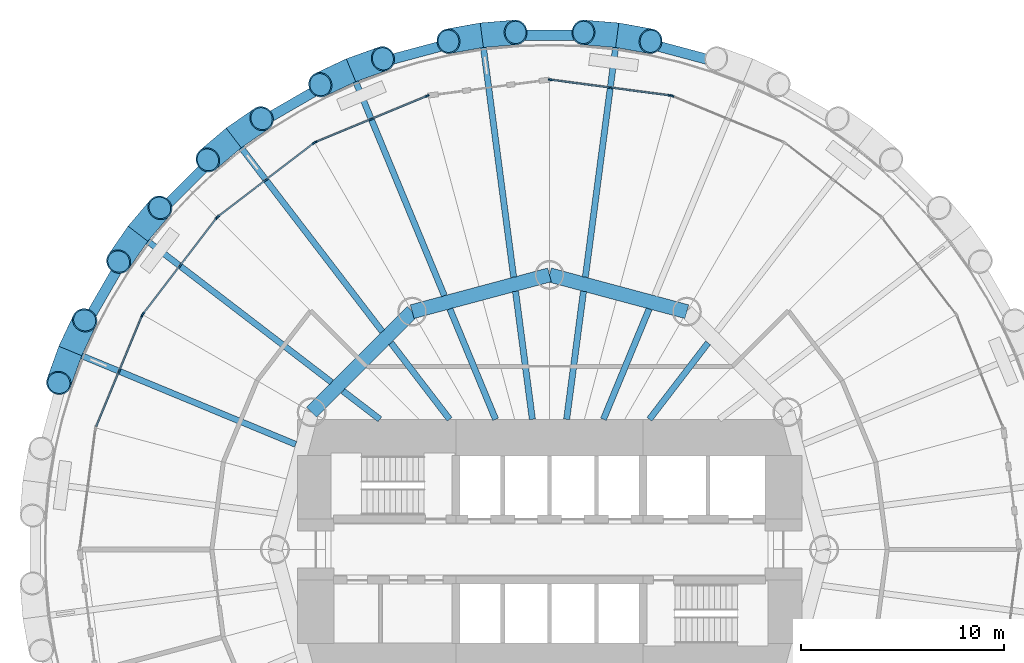
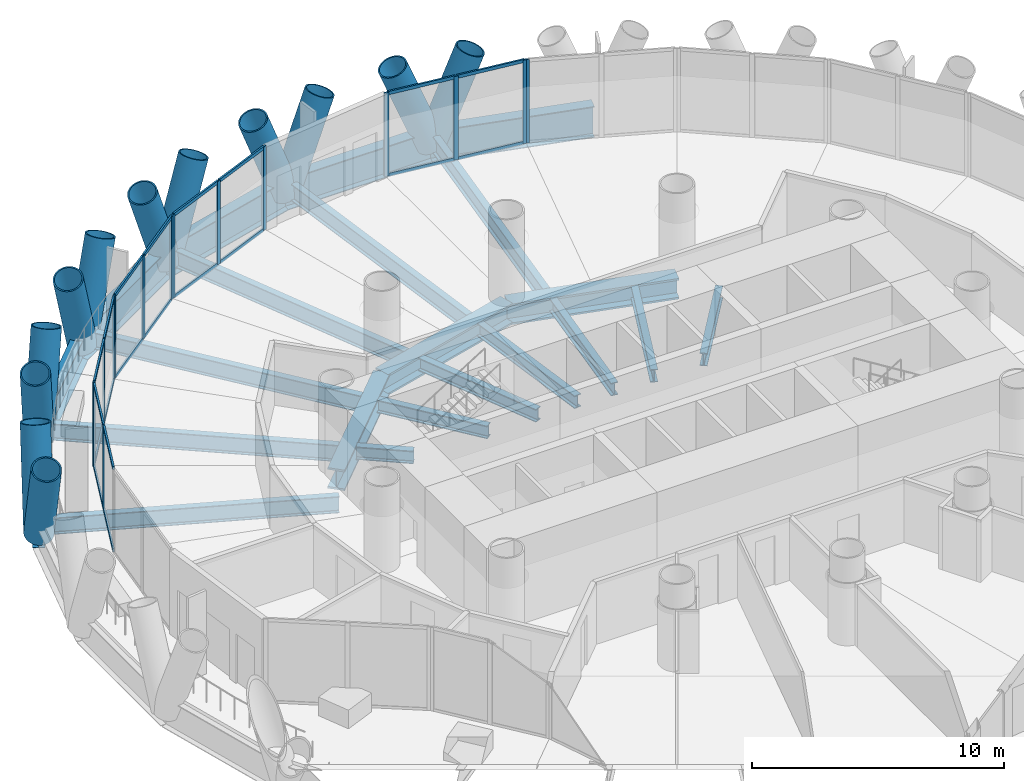
# One storey, part 5 of 14: 47 members, 22 beams, 6 elements without a shape of their own.
"""IFC4 building model written with IfcOpenShell, lengths in metres."""

from ifc_helpers import new_model, si_unit, direction, frame, origin, origin_2d, place, context, subcontext, project, spatial, rectangle, hollow_circle, i_section, extrude, material, material_profile, profile_set, type_object, element, aggregate, save


model = new_model("IFC4")

# Units and contexts
model_context = context("Model", 3, precision=1e-05, world=origin(), true_north=direction((0.0, 1.0)))
body_context = subcontext(model_context, "Body", "Model", "MODEL_VIEW")
ifc_project = project(units=[si_unit("LENGTHUNIT", "METRE"), si_unit("AREAUNIT", "SQUARE_METRE"), si_unit("VOLUMEUNIT", "CUBIC_METRE"), si_unit("PLANEANGLEUNIT", "RADIAN"), si_unit("MASSUNIT", "GRAM", prefix="KILO")], contexts=[model_context])

# Site, building, storey
site_placement = place(None, origin())
site = spatial("IfcSite", under=ifc_project, at=site_placement, CompositionType="ELEMENT")
building_placement = place(site_placement, origin())
building = spatial("IfcBuilding", under=site, at=building_placement, Name="Qaws Media Tower", CompositionType="ELEMENT")
storey_placement = place(building_placement, frame((0.0, 0.0, 84.800048828125)))
storey = spatial("IfcBuildingStorey", under=building, at=storey_placement, Name="L18", CompositionType="ELEMENT", Elevation=84.800048828125)

# Curtain wall, member
ifc_material_1 = material(Name="Aluminium and clear glass", Category="aluminium")
curtain_wall_type = type_object("IfcCurtainWallType", Name="Unitised curtain wall CW-A", PredefinedType="NOTDEFINED", material=ifc_material_1)
curtain_wall_1_placement = place(storey_placement, origin())
curtain_wall_1 = element("IfcCurtainWall", 1, at=curtain_wall_1_placement, inside=storey, type_object=curtain_wall_type, Name="CWA curtain wall L18-05", PredefinedType="NOTDEFINED")
ifc_material_2 = material(Name="Aluminium mullion", Category="aluminium")
ifc_material_profile_1 = material_profile(ifc_material_2, rectangle(XDim=0.080078125, YDim=0.199951171875, at=origin_2d()), Name="80x200")
ifc_profile_set_1 = profile_set([ifc_material_profile_1], Name="Aluminium mullion")
member_type_1 = type_object("IfcMemberType", Name="Curtain wall mullion 80x200", PredefinedType="MULLION", material=ifc_profile_set_1)
member_1_placement = place(storey_placement, frame((66.015625, 72.297607421875, 0.0), z_axis=(0.0, 0.0, 1.0), x_axis=(-0.382683469758, -0.923879517022, 0.0)))
member_1 = element("IfcMember", 2, at=member_1_placement, type_object=member_type_1, Name="CWA mullion 3", PredefinedType="MULLION", context=body_context, shape_type="SweptSolid", body=[
    extrude(rectangle(XDim=0.080078125, YDim=0.199951171875, at=origin_2d()), origin(), (0.0, 0.0, 1.0), 4.0400390625),
])
aggregate(curtain_wall_1, [member_1])

# Curtain wall, members
curtain_wall_2_placement = place(storey_placement, origin())
curtain_wall_2 = element("IfcCurtainWall", 3, at=curtain_wall_2_placement, inside=storey, type_object=curtain_wall_type, Name="CWA curtain wall L18-06", PredefinedType="NOTDEFINED")
member_2_placement = place(storey_placement, frame((65.93896484375, 72.318115234375, 0.0), z_axis=(0.0, 0.0, 1.0), x_axis=(-0.130526123696, -0.991444870395, 0.0)))
member_2 = element("IfcMember", 4, at=member_2_placement, type_object=member_type_1, Name="CWA mullion 1", PredefinedType="MULLION", context=body_context, shape_type="SweptSolid", body=[
    extrude(rectangle(XDim=0.080078125, YDim=0.199951171875, at=origin_2d()), origin(), (0.0, 0.0, 1.0), 4.0400390625),
])
member_3_placement = place(storey_placement, frame((62.9892578125, 72.70654296875, 0.0), z_axis=(0.0, 0.0, 1.0), x_axis=(-0.130526123696, -0.991444870395, 0.0)))
member_3 = element("IfcMember", 5, at=member_3_placement, type_object=member_type_1, Name="CWA mullion 2", PredefinedType="MULLION", context=body_context, shape_type="SweptSolid", body=[
    extrude(rectangle(XDim=0.080078125, YDim=0.199951171875, at=origin_2d()), origin(), (0.0, 0.0, 1.0), 4.0400390625),
])
member_4_placement = place(storey_placement, frame((60.03955078125, 73.0947265625, 0.0), z_axis=(0.0, 0.0, 1.0), x_axis=(-0.130526123696, -0.991444870395, 0.0)))
member_4 = element("IfcMember", 6, at=member_4_placement, type_object=member_type_1, Name="CWA mullion 3", PredefinedType="MULLION", context=body_context, shape_type="SweptSolid", body=[
    extrude(rectangle(XDim=0.080078125, YDim=0.199951171875, at=origin_2d()), origin(), (0.0, 0.0, 1.0), 4.0400390625),
])

curtain_wall_3_placement = place(storey_placement, origin())
curtain_wall_3 = element("IfcCurtainWall", 7, at=curtain_wall_3_placement, inside=storey, type_object=curtain_wall_type, Name="CWA curtain wall L18-08", PredefinedType="NOTDEFINED")
member_5_placement = place(storey_placement, frame((53.984375, 72.297607421875, 0.0), z_axis=(0.0, 0.0, 1.0), x_axis=(0.382683469758, -0.923879517022, 0.0)))
member_5 = element("IfcMember", 8, at=member_5_placement, type_object=member_type_1, Name="CWA mullion 1", PredefinedType="MULLION", context=body_context, shape_type="SweptSolid", body=[
    extrude(rectangle(XDim=0.080078125, YDim=0.199951171875, at=origin_2d()), origin(), (0.0, 0.0, 1.0), 4.0400390625),
])
member_6_placement = place(storey_placement, frame((51.235595703125, 71.158935546875, 0.0), z_axis=(0.0, 0.0, 1.0), x_axis=(0.382683469758, -0.923879517022, 0.0)))
member_6 = element("IfcMember", 9, at=member_6_placement, type_object=member_type_1, Name="CWA mullion 2", PredefinedType="MULLION", context=body_context, shape_type="SweptSolid", body=[
    extrude(rectangle(XDim=0.080078125, YDim=0.199951171875, at=origin_2d()), origin(), (0.0, 0.0, 1.0), 4.0400390625),
])
member_7_placement = place(storey_placement, frame((48.487060546875, 70.0205078125, 0.0), z_axis=(0.0, 0.0, 1.0), x_axis=(0.382683469758, -0.923879517022, 0.0)))
member_7 = element("IfcMember", 10, at=member_7_placement, type_object=member_type_1, Name="CWA mullion 3", PredefinedType="MULLION", context=body_context, shape_type="SweptSolid", body=[
    extrude(rectangle(XDim=0.080078125, YDim=0.199951171875, at=origin_2d()), origin(), (0.0, 0.0, 1.0), 4.0400390625),
])

curtain_wall_4_placement = place(storey_placement, origin())
curtain_wall_4 = element("IfcCurtainWall", 11, at=curtain_wall_4_placement, inside=storey, type_object=curtain_wall_type, Name="CWA curtain wall L18-09", PredefinedType="NOTDEFINED")
member_8_placement = place(storey_placement, frame((48.418212890625, 69.98095703125, 0.0), z_axis=(0.0, 0.0, 1.0), x_axis=(0.608761381612, -0.79335337666, 0.0)))
member_8 = element("IfcMember", 12, at=member_8_placement, type_object=member_type_1, Name="CWA mullion 1", PredefinedType="MULLION", context=body_context, shape_type="SweptSolid", body=[
    extrude(rectangle(XDim=0.080078125, YDim=0.199951171875, at=origin_2d()), origin(), (0.0, 0.0, 1.0), 4.0400390625),
])
member_9_placement = place(storey_placement, frame((46.057861328125, 68.169677734375, 0.0), z_axis=(0.0, 0.0, 1.0), x_axis=(0.608761381612, -0.79335337666, 0.0)))
member_9 = element("IfcMember", 13, at=member_9_placement, type_object=member_type_1, Name="CWA mullion 2", PredefinedType="MULLION", context=body_context, shape_type="SweptSolid", body=[
    extrude(rectangle(XDim=0.080078125, YDim=0.199951171875, at=origin_2d()), origin(), (0.0, 0.0, 1.0), 4.0400390625),
])
member_10_placement = place(storey_placement, frame((43.697509765625, 66.3583984375, 0.0), z_axis=(0.0, 0.0, 1.0), x_axis=(0.608761381612, -0.79335337666, 0.0)))
member_10 = element("IfcMember", 14, at=member_10_placement, type_object=member_type_1, Name="CWA mullion 3", PredefinedType="MULLION", context=body_context, shape_type="SweptSolid", body=[
    extrude(rectangle(XDim=0.080078125, YDim=0.199951171875, at=origin_2d()), origin(), (0.0, 0.0, 1.0), 4.0400390625),
])

curtain_wall_5_placement = place(storey_placement, origin())
curtain_wall_5 = element("IfcCurtainWall", 15, at=curtain_wall_5_placement, inside=storey, type_object=curtain_wall_type, Name="CWA curtain wall L18-10", PredefinedType="NOTDEFINED")
member_11_placement = place(storey_placement, frame((43.6416015625, 66.302490234375, 0.0), z_axis=(0.0, 0.0, 1.0), x_axis=(0.79335337666, -0.608761381612, 0.0)))
member_11 = element("IfcMember", 16, at=member_11_placement, type_object=member_type_1, Name="CWA mullion 1", PredefinedType="MULLION", context=body_context, shape_type="SweptSolid", body=[
    extrude(rectangle(XDim=0.080078125, YDim=0.199951171875, at=origin_2d()), origin(), (0.0, 0.0, 1.0), 4.0400390625),
])
member_12_placement = place(storey_placement, frame((41.830322265625, 63.942138671875, 0.0), z_axis=(0.0, 0.0, 1.0), x_axis=(0.79335337666, -0.608761381612, 0.0)))
member_12 = element("IfcMember", 17, at=member_12_placement, type_object=member_type_1, Name="CWA mullion 2", PredefinedType="MULLION", context=body_context, shape_type="SweptSolid", body=[
    extrude(rectangle(XDim=0.080078125, YDim=0.199951171875, at=origin_2d()), origin(), (0.0, 0.0, 1.0), 4.0400390625),
])
member_13_placement = place(storey_placement, frame((40.01904296875, 61.581787109375, 0.0), z_axis=(0.0, 0.0, 1.0), x_axis=(0.79335337666, -0.608761381612, 0.0)))
member_13 = element("IfcMember", 18, at=member_13_placement, type_object=member_type_1, Name="CWA mullion 3", PredefinedType="MULLION", context=body_context, shape_type="SweptSolid", body=[
    extrude(rectangle(XDim=0.080078125, YDim=0.199951171875, at=origin_2d()), origin(), (0.0, 0.0, 1.0), 4.0400390625),
])

curtain_wall_6_placement = place(storey_placement, origin())
curtain_wall_6 = element("IfcCurtainWall", 19, at=curtain_wall_6_placement, inside=storey, type_object=curtain_wall_type, Name="CWA curtain wall L18-11", PredefinedType="NOTDEFINED")
member_14_placement = place(storey_placement, frame((39.9794921875, 61.512939453125, 0.0), z_axis=(0.0, 0.0, 1.0), x_axis=(0.923879517022, -0.382683469758, 0.0)))
member_14 = element("IfcMember", 20, at=member_14_placement, type_object=member_type_1, Name="CWA mullion 1", PredefinedType="MULLION", context=body_context, shape_type="SweptSolid", body=[
    extrude(rectangle(XDim=0.080078125, YDim=0.199951171875, at=origin_2d()), origin(), (0.0, 0.0, 1.0), 4.0400390625),
])
member_15_placement = place(storey_placement, frame((38.841064453125, 58.764404296875, 0.0), z_axis=(0.0, 0.0, 1.0), x_axis=(0.923879517022, -0.382683469758, 0.0)))
member_15 = element("IfcMember", 21, at=member_15_placement, type_object=member_type_1, Name="CWA mullion 2", PredefinedType="MULLION", context=body_context, shape_type="SweptSolid", body=[
    extrude(rectangle(XDim=0.080078125, YDim=0.199951171875, at=origin_2d()), origin(), (0.0, 0.0, 1.0), 4.0400390625),
])

# Member
ifc_material_3 = material(Name="Aluminium transom", Category="aluminium")
ifc_material_profile_2 = material_profile(ifc_material_3, rectangle(XDim=0.080078125, YDim=0.159912109375, at=origin_2d()), Name="80x160")
ifc_profile_set_2 = profile_set([ifc_material_profile_2], Name="Aluminium transom")
member_type_2 = type_object("IfcMemberType", Name="Curtain wall transom 80x160", PredefinedType="USERDEFINED", material=ifc_profile_set_2)
member_16_placement = place(storey_placement, frame((65.8994140625, 72.3232421875, 0.0400390625), z_axis=(-0.991443097924, 0.130539586254, 0.0), x_axis=(-0.130539586254, -0.991443097924, 0.0)))
member_16 = element("IfcMember", 22, at=member_16_placement, type_object=member_type_2, Name="CWA transom 1.1", ObjectType="TRANSOM", PredefinedType="USERDEFINED", context=body_context, shape_type="SweptSolid", body=[
    extrude(rectangle(XDim=0.080078125, YDim=0.159912109375, at=origin_2d()), origin(), (0.0, 0.0, 1.0), 2.89501953125),
])

member_17_placement = place(storey_placement, frame((65.8994140625, 72.3232421875, 4.0), z_axis=(-0.991443097924, 0.130539586254, 0.0), x_axis=(-0.130539586254, -0.991443097924, 0.0)))
member_17 = element("IfcMember", 23, at=member_17_placement, type_object=member_type_2, Name="CWA transom 1.2", ObjectType="TRANSOM", PredefinedType="USERDEFINED", context=body_context, shape_type="SweptSolid", body=[
    extrude(rectangle(XDim=0.080078125, YDim=0.159912109375, at=origin_2d()), origin(), (0.0, 0.0, 1.0), 2.89501953125),
])

member_18_placement = place(storey_placement, frame((62.94970703125, 72.711669921875, 0.0400390625), z_axis=(-0.991443097924, 0.130539586254, 0.0), x_axis=(-0.130539586254, -0.991443097924, 0.0)))
member_18 = element("IfcMember", 24, at=member_18_placement, type_object=member_type_2, Name="CWA transom 2.1", ObjectType="TRANSOM", PredefinedType="USERDEFINED", context=body_context, shape_type="SweptSolid", body=[
    extrude(rectangle(XDim=0.080078125, YDim=0.159912109375, at=origin_2d()), origin(), (0.0, 0.0, 1.0), 2.89501953125),
])

member_19_placement = place(storey_placement, frame((62.94970703125, 72.711669921875, 4.0), z_axis=(-0.991443097924, 0.130539586254, 0.0), x_axis=(-0.130539586254, -0.991443097924, 0.0)))
member_19 = element("IfcMember", 25, at=member_19_placement, type_object=member_type_2, Name="CWA transom 2.2", ObjectType="TRANSOM", PredefinedType="USERDEFINED", context=body_context, shape_type="SweptSolid", body=[
    extrude(rectangle(XDim=0.080078125, YDim=0.159912109375, at=origin_2d()), origin(), (0.0, 0.0, 1.0), 2.89501953125),
])

aggregate(curtain_wall_2, [member_2, member_3, member_4, member_16, member_17, member_18, member_19])

member_20_placement = place(storey_placement, frame((53.947265625, 72.2822265625, 0.0400390625), z_axis=(-0.923870872897, -0.382704337855, 0.0), x_axis=(0.382704337855, -0.923870872897, 0.0)))
member_20 = element("IfcMember", 26, at=member_20_placement, type_object=member_type_2, Name="CWA transom 1.1", ObjectType="TRANSOM", PredefinedType="USERDEFINED", context=body_context, shape_type="SweptSolid", body=[
    extrude(rectangle(XDim=0.080078125, YDim=0.159912109375, at=origin_2d()), origin(), (0.0, 0.0, 1.0), 2.89501953125),
])

member_21_placement = place(storey_placement, frame((53.947265625, 72.2822265625, 4.0), z_axis=(-0.923870872897, -0.382704337855, 0.0), x_axis=(0.382704337855, -0.923870872897, 0.0)))
member_21 = element("IfcMember", 27, at=member_21_placement, type_object=member_type_2, Name="CWA transom 1.2", ObjectType="TRANSOM", PredefinedType="USERDEFINED", context=body_context, shape_type="SweptSolid", body=[
    extrude(rectangle(XDim=0.080078125, YDim=0.159912109375, at=origin_2d()), origin(), (0.0, 0.0, 1.0), 2.89501953125),
])

member_22_placement = place(storey_placement, frame((51.19873046875, 71.143798828125, 0.0400390625), z_axis=(-0.923883223123, -0.382674522319, 0.0), x_axis=(0.382674522319, -0.923883223123, 0.0)))
member_22 = element("IfcMember", 28, at=member_22_placement, type_object=member_type_2, Name="CWA transom 2.1", ObjectType="TRANSOM", PredefinedType="USERDEFINED", context=body_context, shape_type="SweptSolid", body=[
    extrude(rectangle(XDim=0.080078125, YDim=0.159912109375, at=origin_2d()), origin(), (0.0, 0.0, 1.0), 2.895263671875),
])

member_23_placement = place(storey_placement, frame((51.19873046875, 71.143798828125, 4.0), z_axis=(-0.923883223123, -0.382674522319, 0.0), x_axis=(0.382674522319, -0.923883223123, 0.0)))
member_23 = element("IfcMember", 29, at=member_23_placement, type_object=member_type_2, Name="CWA transom 2.2", ObjectType="TRANSOM", PredefinedType="USERDEFINED", context=body_context, shape_type="SweptSolid", body=[
    extrude(rectangle(XDim=0.080078125, YDim=0.159912109375, at=origin_2d()), origin(), (0.0, 0.0, 1.0), 2.895263671875),
])

aggregate(curtain_wall_3, [member_5, member_6, member_7, member_20, member_21, member_22, member_23])

member_24_placement = place(storey_placement, frame((48.386474609375, 69.95654296875, 0.0400390625), z_axis=(-0.793353841353, -0.608760776012, 0.0), x_axis=(0.608760776012, -0.793353841353, 0.0)))
member_24 = element("IfcMember", 30, at=member_24_placement, type_object=member_type_2, Name="CWA transom 1.1", ObjectType="TRANSOM", PredefinedType="USERDEFINED", context=body_context, shape_type="SweptSolid", body=[
    extrude(rectangle(XDim=0.080078125, YDim=0.159912109375, at=origin_2d()), origin(), (0.0, 0.0, 1.0), 2.895263671875),
])

member_25_placement = place(storey_placement, frame((48.386474609375, 69.95654296875, 4.0), z_axis=(-0.793353841353, -0.608760776012, 0.0), x_axis=(0.608760776012, -0.793353841353, 0.0)))
member_25 = element("IfcMember", 31, at=member_25_placement, type_object=member_type_2, Name="CWA transom 1.2", ObjectType="TRANSOM", PredefinedType="USERDEFINED", context=body_context, shape_type="SweptSolid", body=[
    extrude(rectangle(XDim=0.080078125, YDim=0.159912109375, at=origin_2d()), origin(), (0.0, 0.0, 1.0), 2.895263671875),
])

member_26_placement = place(storey_placement, frame((46.026123046875, 68.145263671875, 0.0400390625), z_axis=(-0.793353841353, -0.608760776012, 0.0), x_axis=(0.608760776012, -0.793353841353, 0.0)))
member_26 = element("IfcMember", 32, at=member_26_placement, type_object=member_type_2, Name="CWA transom 2.1", ObjectType="TRANSOM", PredefinedType="USERDEFINED", context=body_context, shape_type="SweptSolid", body=[
    extrude(rectangle(XDim=0.080078125, YDim=0.159912109375, at=origin_2d()), origin(), (0.0, 0.0, 1.0), 2.895263671875),
])

member_27_placement = place(storey_placement, frame((46.026123046875, 68.145263671875, 4.0), z_axis=(-0.793353841353, -0.608760776012, 0.0), x_axis=(0.608760776012, -0.793353841353, 0.0)))
member_27 = element("IfcMember", 33, at=member_27_placement, type_object=member_type_2, Name="CWA transom 2.2", ObjectType="TRANSOM", PredefinedType="USERDEFINED", context=body_context, shape_type="SweptSolid", body=[
    extrude(rectangle(XDim=0.080078125, YDim=0.159912109375, at=origin_2d()), origin(), (0.0, 0.0, 1.0), 2.895263671875),
])

aggregate(curtain_wall_4, [member_8, member_9, member_10, member_24, member_25, member_26, member_27])

member_28_placement = place(storey_placement, frame((43.6171875, 66.270751953125, 0.0400390625), z_axis=(-0.608760776012, -0.793353841353, 0.0), x_axis=(0.793353841353, -0.608760776012, 0.0)))
member_28 = element("IfcMember", 34, at=member_28_placement, type_object=member_type_2, Name="CWA transom 1.1", ObjectType="TRANSOM", PredefinedType="USERDEFINED", context=body_context, shape_type="SweptSolid", body=[
    extrude(rectangle(XDim=0.080078125, YDim=0.159912109375, at=origin_2d()), origin(), (0.0, 0.0, 1.0), 2.895263671875),
])

member_29_placement = place(storey_placement, frame((43.6171875, 66.270751953125, 4.0), z_axis=(-0.608760776012, -0.793353841353, 0.0), x_axis=(0.793353841353, -0.608760776012, 0.0)))
member_29 = element("IfcMember", 35, at=member_29_placement, type_object=member_type_2, Name="CWA transom 1.2", ObjectType="TRANSOM", PredefinedType="USERDEFINED", context=body_context, shape_type="SweptSolid", body=[
    extrude(rectangle(XDim=0.080078125, YDim=0.159912109375, at=origin_2d()), origin(), (0.0, 0.0, 1.0), 2.895263671875),
])

member_30_placement = place(storey_placement, frame((41.805908203125, 63.910400390625, 0.0400390625), z_axis=(-0.608760776012, -0.793353841353, 0.0), x_axis=(0.793353841353, -0.608760776012, 0.0)))
member_30 = element("IfcMember", 36, at=member_30_placement, type_object=member_type_2, Name="CWA transom 2.1", ObjectType="TRANSOM", PredefinedType="USERDEFINED", context=body_context, shape_type="SweptSolid", body=[
    extrude(rectangle(XDim=0.080078125, YDim=0.159912109375, at=origin_2d()), origin(), (0.0, 0.0, 1.0), 2.895263671875),
])

member_31_placement = place(storey_placement, frame((41.805908203125, 63.910400390625, 4.0), z_axis=(-0.608760776012, -0.793353841353, 0.0), x_axis=(0.793353841353, -0.608760776012, 0.0)))
member_31 = element("IfcMember", 37, at=member_31_placement, type_object=member_type_2, Name="CWA transom 2.2", ObjectType="TRANSOM", PredefinedType="USERDEFINED", context=body_context, shape_type="SweptSolid", body=[
    extrude(rectangle(XDim=0.080078125, YDim=0.159912109375, at=origin_2d()), origin(), (0.0, 0.0, 1.0), 2.895263671875),
])

aggregate(curtain_wall_5, [member_11, member_12, member_13, member_28, member_29, member_30, member_31])

member_32_placement = place(storey_placement, frame((39.964111328125, 61.47607421875, 0.0400390625), z_axis=(-0.382674522319, -0.923883223123, 0.0), x_axis=(0.923883223123, -0.382674522319, 0.0)))
member_32 = element("IfcMember", 38, at=member_32_placement, type_object=member_type_2, Name="CWA transom 1.1", ObjectType="TRANSOM", PredefinedType="USERDEFINED", context=body_context, shape_type="SweptSolid", body=[
    extrude(rectangle(XDim=0.080078125, YDim=0.159912109375, at=origin_2d()), origin(), (0.0, 0.0, 1.0), 2.895263671875),
])

member_33_placement = place(storey_placement, frame((39.964111328125, 61.47607421875, 4.0), z_axis=(-0.382674522319, -0.923883223123, 0.0), x_axis=(0.923883223123, -0.382674522319, 0.0)))
member_33 = element("IfcMember", 39, at=member_33_placement, type_object=member_type_2, Name="CWA transom 1.2", ObjectType="TRANSOM", PredefinedType="USERDEFINED", context=body_context, shape_type="SweptSolid", body=[
    extrude(rectangle(XDim=0.080078125, YDim=0.159912109375, at=origin_2d()), origin(), (0.0, 0.0, 1.0), 2.895263671875),
])

member_34_placement = place(storey_placement, frame((38.82568359375, 58.727294921875, 0.0400390625), z_axis=(-0.382704337855, -0.923870872897, 0.0), x_axis=(0.923870872897, -0.382704337855, 0.0)))
member_34 = element("IfcMember", 40, at=member_34_placement, type_object=member_type_2, Name="CWA transom 2.1", ObjectType="TRANSOM", PredefinedType="USERDEFINED", context=body_context, shape_type="SweptSolid", body=[
    extrude(rectangle(XDim=0.080078125, YDim=0.159912109375, at=origin_2d()), origin(), (0.0, 0.0, 1.0), 2.89501953125),
])

member_35_placement = place(storey_placement, frame((38.82568359375, 58.727294921875, 4.0), z_axis=(-0.382704337855, -0.923870872897, 0.0), x_axis=(0.923870872897, -0.382704337855, 0.0)))
member_35 = element("IfcMember", 41, at=member_35_placement, type_object=member_type_2, Name="CWA transom 2.2", ObjectType="TRANSOM", PredefinedType="USERDEFINED", context=body_context, shape_type="SweptSolid", body=[
    extrude(rectangle(XDim=0.080078125, YDim=0.159912109375, at=origin_2d()), origin(), (0.0, 0.0, 1.0), 2.89501953125),
])

aggregate(curtain_wall_6, [member_14, member_15, member_32, member_33, member_34, member_35])

# Members
ifc_material_4 = material(Name="Steel S460", Category="steel")
ifc_material_profile_3 = material_profile(ifc_material_4, hollow_circle(Radius=0.609619140625, WallThickness=0.06005859375, at=origin_2d()), Name="CHS 1219x60")
ifc_profile_set_3 = profile_set([ifc_material_profile_3], Name="Steel S460")
member_type_3 = type_object("IfcMemberType", Name="Diagrid member CHS 1219x60", PredefinedType="USERDEFINED", material=ifc_profile_set_3)
for number, where, z_axis, x_axis, name in (
    (42, (63.328369140625, 75.28173828125, -0.91015625), (-0.367785621701, 0.030684816852, 0.929404206191), (-0.083142391428, -0.996537677535, 0.0), "DG1 diagrid L18 A06"),
    (43, (63.328369140625, 75.28173828125, -0.91015625), (0.363241335512, -0.065528218319, 0.92938785487), (0.17753291625, 0.984114863036, 0.0), "DG1 diagrid L18 B06"),
    (44, (56.671630859375, 75.28173828125, -0.91015625), (-0.363241335512, -0.065528218319, 0.92938785487), (0.17753291625, -0.984114863036, 0.0), "DG1 diagrid L18 A07"),
    (45, (56.671630859375, 75.28173828125, -0.91015625), (0.367785621701, 0.030684816852, 0.929404206191), (-0.083142391428, 0.996537677535, 0.0), "DG1 diagrid L18 B07"),
    (46, (50.241455078125, 73.558837890625, -0.91015625), (-0.333859131371, -0.157313558342, 0.929403316522), (0.426248137921, -0.904606281715, 0.0), "DG1 diagrid L18 A08"),
    (47, (50.241455078125, 73.558837890625, -0.91015625), (0.34735792864, 0.124843572797, 0.929385039552), (-0.338227079381, 0.94106452636, 0.0), "DG1 diagrid L18 B08"),
    (48, (44.4765625, 70.23046875, -0.91015625), (-0.281777694827, -0.238398191578, 0.929391001113), (0.645896312854, -0.763425145671, 0.0), "DG1 diagrid L18 A09"),
    (49, (44.4765625, 70.23046875, -0.91015625), (0.303222861715, 0.210467890476, 0.929386444495), (-0.570206543663, 0.821501367962, 0.0), "DG1 diagrid L18 B09"),
    (50, (39.76953125, 65.5234375, -0.91015625), (-0.210467890476, -0.303222861715, 0.929386444495), (0.821501367962, -0.570206543663, 0.0), "DG1 diagrid L18 A10"),
    (51, (39.76953125, 65.5234375, -0.91015625), (0.238398191578, 0.281777694827, 0.929391001113), (-0.763425145671, 0.645896312854, 0.0), "DG1 diagrid L18 B10"),
    (52, (36.441162109375, 59.758544921875, -0.91015625), (-0.124843572797, -0.34735792864, 0.929385039552), (0.94106452636, -0.338227079381, 0.0), "DG1 diagrid L18 A11"),
    (53, (36.441162109375, 59.758544921875, -0.91015625), (0.157313558342, 0.333859131371, 0.929403316522), (-0.904606281715, 0.426248137921, 0.0), "DG1 diagrid L18 B11"),
):
    element("IfcMember", number, at=place(storey_placement, frame(where, z_axis=z_axis, x_axis=x_axis)), inside=storey, type_object=member_type_3, Name=name, ObjectType="DIAGRID", PredefinedType="USERDEFINED", context=body_context, shape_type="SweptSolid", body=[
        extrude(hollow_circle(Radius=0.609619140625, WallThickness=0.06005859375, at=origin_2d()), origin(), (0.0, 0.0, 1.0), 4.519287109375),
    ])

# Beams
ifc_material_5 = material(Name="Steel S460", Category="steel")
ifc_material_profile_4 = material_profile(ifc_material_5, i_section(OverallWidth=0.5, OverallDepth=1.5, WebThickness=0.02001953125, FlangeThickness=0.0400390625, at=origin_2d()), Name="PG 1500x500")
ifc_profile_set_4 = profile_set([ifc_material_profile_4], Name="Steel S460")
beam_type_1 = type_object("IfcBeamType", Name="Edge ring beam PG 1500x500", PredefinedType="BEAM", material=ifc_profile_set_4)
beam_1_placement = place(storey_placement, frame((69.758544921875, 73.558837890625, -0.91015625), z_axis=(-0.965928080166, 0.258810633371, 0.0), x_axis=(-0.258810633371, -0.965928080166, 0.0)))
element("IfcBeam", 54, at=beam_1_placement, inside=storey, type_object=beam_type_1, Name="RB4 edge ring beam L18-05", PredefinedType="BEAM", context=body_context, shape_type="SweptSolid", body=[
    extrude(i_section(OverallWidth=0.5, OverallDepth=1.5, WebThickness=0.02001953125, FlangeThickness=0.0400390625, at=origin_2d()), origin(), (0.0, 0.0, 1.0), 6.656982421875),
])
beam_2_placement = place(storey_placement, frame((63.328369140625, 75.28173828125, -0.91015625), z_axis=(-1.0, 0.0, 0.0), x_axis=(0.0, -1.0, 0.0)))
element("IfcBeam", 55, at=beam_2_placement, inside=storey, type_object=beam_type_1, Name="RB4 edge ring beam L18-06", PredefinedType="BEAM", context=body_context, shape_type="SweptSolid", body=[
    extrude(i_section(OverallWidth=0.5, OverallDepth=1.5, WebThickness=0.02001953125, FlangeThickness=0.0400390625, at=origin_2d()), origin(), (0.0, 0.0, 1.0), 6.65673828125),
])
beam_3_placement = place(storey_placement, frame((56.671630859375, 75.28173828125, -0.91015625), z_axis=(-0.965928080166, -0.258810633371, 0.0), x_axis=(0.258810633371, -0.965928080166, 0.0)))
element("IfcBeam", 56, at=beam_3_placement, inside=storey, type_object=beam_type_1, Name="RB4 edge ring beam L18-07", PredefinedType="BEAM", context=body_context, shape_type="SweptSolid", body=[
    extrude(i_section(OverallWidth=0.5, OverallDepth=1.5, WebThickness=0.02001953125, FlangeThickness=0.0400390625, at=origin_2d()), origin(), (0.0, 0.0, 1.0), 6.656982421875),
])
for number, where, z_axis, x_axis, name in (
    (57, (50.241455078125, 73.558837890625, -0.91015625), (-0.866024957627, -0.500000772766, 0.0), (0.500000772766, -0.866024957627, 0.0), "RB4 edge ring beam L18-08"),
    (58, (44.4765625, 70.23046875, -0.91015625), (-0.707106781187, -0.707106781187, 0.0), (0.707106781187, -0.707106781187, 0.0), "RB4 edge ring beam L18-09"),
    (59, (39.76953125, 65.5234375, -0.91015625), (-0.500000772766, -0.866024957627, 0.0), (0.866024957627, -0.500000772766, 0.0), "RB4 edge ring beam L18-10"),
):
    element("IfcBeam", number, at=place(storey_placement, frame(where, z_axis=z_axis, x_axis=x_axis)), inside=storey, type_object=beam_type_1, Name=name, PredefinedType="BEAM", context=body_context, shape_type="SweptSolid", body=[
        extrude(i_section(OverallWidth=0.5, OverallDepth=1.5, WebThickness=0.02001953125, FlangeThickness=0.0400390625, at=origin_2d()), origin(), (0.0, 0.0, 1.0), 6.65673828125),
    ])
ifc_material_6 = material(Name="Steel S460", Category="steel")
ifc_material_profile_5 = material_profile(ifc_material_6, i_section(OverallWidth=0.699951171875, OverallDepth=1.0, WebThickness=0.034912109375, FlangeThickness=0.090087890625, at=origin_2d()), Name="PG 1000x700")
ifc_profile_set_5 = profile_set([ifc_material_profile_5], Name="Steel S460")
beam_type_2 = type_object("IfcBeamType", Name="Inner ring girder PG 1000x700", PredefinedType="BEAM", material=ifc_profile_set_5)
for number, where, z_axis, x_axis, name in (
    (60, (66.75, 61.69140625, -0.66015625), (-0.965928090778, 0.258810593767, 0.0), (-0.258810593767, -0.965928090778, 0.0), "B3 inner ring beam L18 I03-I04"),
    (61, (60.0, 63.5, -0.66015625), (-0.965928090778, -0.258810593767, 0.0), (0.258810593767, -0.965928090778, 0.0), "B3 inner ring beam L18 I04-I05"),
):
    element("IfcBeam", number, at=place(storey_placement, frame(where, z_axis=z_axis, x_axis=x_axis)), inside=storey, type_object=beam_type_2, Name=name, PredefinedType="BEAM", context=body_context, shape_type="SweptSolid", body=[
        extrude(i_section(OverallWidth=0.699951171875, OverallDepth=1.0, WebThickness=0.034912109375, FlangeThickness=0.090087890625, at=origin_2d()), origin(), (0.0, 0.0, 1.0), 6.988037109375),
    ])
beam_4_placement = place(storey_placement, frame((53.25, 61.69140625, -0.66015625), z_axis=(-0.707106781187, -0.707106781187, 0.0), x_axis=(0.707106781187, -0.707106781187, 0.0)))
element("IfcBeam", 62, at=beam_4_placement, inside=storey, type_object=beam_type_2, Name="B3 inner ring beam L18 I05-I06", PredefinedType="BEAM", context=body_context, shape_type="SweptSolid", body=[
    extrude(i_section(OverallWidth=0.699951171875, OverallDepth=1.0, WebThickness=0.034912109375, FlangeThickness=0.090087890625, at=origin_2d()), origin(), (0.0, 0.0, 1.0), 6.98828125),
])
ifc_material_7 = material(Name="Steel S355", Category="steel")
ifc_material_profile_6 = material_profile(ifc_material_7, i_section(OverallWidth=0.304931640625, OverallDepth=0.6201171875, WebThickness=0.02099609375, FlangeThickness=0.0400390625, FilletRadius=0.027099609375, at=origin_2d()), Name="HE 600 M")
ifc_profile_set_6 = profile_set([ifc_material_profile_6], Name="Steel S355")
beam_type_3 = type_object("IfcBeamType", Name="Radial beam HE 600 M, core side", PredefinedType="BEAM", material=ifc_profile_set_6)
beam_5_placement = place(storey_placement, frame((64.910888671875, 56.39990234375, -0.469970703125), z_axis=(0.608737993613, 0.793371322353, 0.0), x_axis=(-0.793371322353, 0.608737993613, 0.0)))
element("IfcBeam", 63, at=beam_5_placement, inside=storey, type_object=beam_type_3, Name="B2 radial beam L18 04", PredefinedType="BEAM", context=body_context, shape_type="SweptSolid", body=[
    extrude(i_section(OverallWidth=0.304931640625, OverallDepth=0.6201171875, WebThickness=0.02099609375, FlangeThickness=0.0400390625, FilletRadius=0.027099609375, at=origin_2d()), origin(), (0.0, 0.0, 1.0), 4.732421875),
])
beam_6_placement = place(storey_placement, frame((62.65087890625, 56.39990234375, -0.469970703125), z_axis=(0.382695718283, 0.923874443422, 0.0), x_axis=(-0.923874443422, 0.382695718283, 0.0)))
element("IfcBeam", 64, at=beam_6_placement, inside=storey, type_object=beam_type_3, Name="B2 radial beam L18 05", PredefinedType="BEAM", context=body_context, shape_type="SweptSolid", body=[
    extrude(i_section(OverallWidth=0.304931640625, OverallDepth=0.6201171875, WebThickness=0.02099609375, FlangeThickness=0.0400390625, FilletRadius=0.027099609375, at=origin_2d()), origin(), (0.0, 0.0, 1.0), 5.872314453125),
])
for number, where, z_axis, x_axis, name in (
    (65, (60.842529296875, 56.39990234375, -0.469970703125), (0.130530165938, 0.991444338216, 0.0), (-0.991444338216, 0.130530165938, 0.0), "B2 radial beam L18 06"),
    (66, (59.157470703125, 56.39990234375, -0.469970703125), (-0.130530165938, 0.991444338216, 0.0), (-0.991444338216, -0.130530165938, 0.0), "B2 radial beam L18 07"),
):
    element("IfcBeam", number, at=place(storey_placement, frame(where, z_axis=z_axis, x_axis=x_axis)), inside=storey, type_object=beam_type_3, Name=name, PredefinedType="BEAM", context=body_context, shape_type="SweptSolid", body=[
        extrude(i_section(OverallWidth=0.304931640625, OverallDepth=0.6201171875, WebThickness=0.02099609375, FlangeThickness=0.0400390625, FilletRadius=0.027099609375, at=origin_2d()), origin(), (0.0, 0.0, 1.0), 6.34423828125),
    ])
beam_7_placement = place(storey_placement, frame((57.34912109375, 56.39990234375, -0.469970703125), z_axis=(-0.382695718283, 0.923874443422, 0.0), x_axis=(-0.923874443422, -0.382695718283, 0.0)))
element("IfcBeam", 67, at=beam_7_placement, inside=storey, type_object=beam_type_3, Name="B2 radial beam L18 08", PredefinedType="BEAM", context=body_context, shape_type="SweptSolid", body=[
    extrude(i_section(OverallWidth=0.304931640625, OverallDepth=0.6201171875, WebThickness=0.02099609375, FlangeThickness=0.0400390625, FilletRadius=0.027099609375, at=origin_2d()), origin(), (0.0, 0.0, 1.0), 5.872314453125),
])
beam_8_placement = place(storey_placement, frame((55.089111328125, 56.39990234375, -0.469970703125), z_axis=(-0.608737993613, 0.793371322353, 0.0), x_axis=(-0.793371322353, -0.608737993613, 0.0)))
element("IfcBeam", 68, at=beam_8_placement, inside=storey, type_object=beam_type_3, Name="B2 radial beam L18 09", PredefinedType="BEAM", context=body_context, shape_type="SweptSolid", body=[
    extrude(i_section(OverallWidth=0.304931640625, OverallDepth=0.6201171875, WebThickness=0.02099609375, FlangeThickness=0.0400390625, FilletRadius=0.027099609375, at=origin_2d()), origin(), (0.0, 0.0, 1.0), 4.732421875),
])
beam_9_placement = place(storey_placement, frame((51.659423828125, 56.39990234375, -0.469970703125), z_axis=(-0.793365692245, 0.608745331291, 0.0), x_axis=(-0.608745331291, -0.793365692245, 0.0)))
element("IfcBeam", 69, at=beam_9_placement, inside=storey, type_object=beam_type_3, Name="B2 radial beam L18 10", PredefinedType="BEAM", context=body_context, shape_type="SweptSolid", body=[
    extrude(i_section(OverallWidth=0.304931640625, OverallDepth=0.6201171875, WebThickness=0.02099609375, FlangeThickness=0.0400390625, FilletRadius=0.027099609375, at=origin_2d()), origin(), (0.0, 0.0, 1.0), 2.286376953125),
])
ifc_material_8 = material(Name="Steel S355", Category="steel")
ifc_material_profile_7 = material_profile(ifc_material_8, i_section(OverallWidth=0.300048828125, OverallDepth=0.800048828125, WebThickness=0.017578125, FlangeThickness=0.032958984375, FilletRadius=0.030029296875, at=origin_2d()), Name="HE 800 B")
ifc_profile_set_7 = profile_set([ifc_material_profile_7], Name="Steel S355")
beam_type_4 = type_object("IfcBeamType", Name="Radial beam HE 800 B", PredefinedType="BEAM", material=ifc_profile_set_7)
for number, where, z_axis, x_axis, name in (
    (70, (61.762939453125, 63.389892578125, -0.56005859375), (0.130512957013, 0.991446603732, 0.0), (-0.991446603732, 0.130512957013, 0.0), "B1 radial beam L18 06"),
    (71, (58.237060546875, 63.389892578125, -0.56005859375), (-0.130512957013, 0.991446603732, 0.0), (-0.991446603732, -0.130512957013, 0.0), "B1 radial beam L18 07"),
    (72, (54.83154296875, 62.4775390625, -0.56005859375), (-0.382687960273, 0.923877656977, 0.0), (-0.923877656977, -0.382687960273, 0.0), "B1 radial beam L18 08"),
    (73, (51.7783203125, 60.714599609375, -0.56005859375), (-0.608760096502, 0.793354362758, 0.0), (-0.793354362758, -0.608760096502, 0.0), "B1 radial beam L18 09"),
    (74, (49.285400390625, 58.2216796875, -0.56005859375), (-0.793354362758, 0.608760096502, 0.0), (-0.608760096502, -0.793354362758, 0.0), "B1 radial beam L18 10"),
    (75, (47.5224609375, 55.16845703125, -0.56005859375), (-0.923877656977, 0.382687960273, 0.0), (-0.382687960273, -0.923877656977, 0.0), "B1 radial beam L18 11"),
):
    element("IfcBeam", number, at=place(storey_placement, frame(where, z_axis=z_axis, x_axis=x_axis)), inside=storey, type_object=beam_type_4, Name=name, PredefinedType="BEAM", context=body_context, shape_type="SweptSolid", body=[
        extrude(i_section(OverallWidth=0.300048828125, OverallDepth=0.800048828125, WebThickness=0.017578125, FlangeThickness=0.032958984375, FilletRadius=0.030029296875, at=origin_2d()), origin(), (0.0, 0.0, 1.0), 11.994384765625),
    ])

save(model, "model.ifc")
